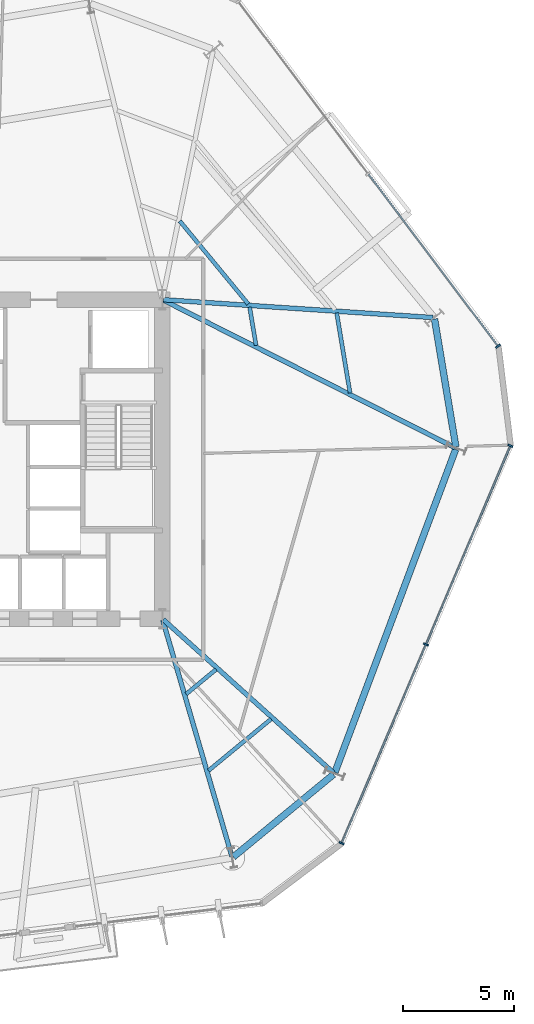
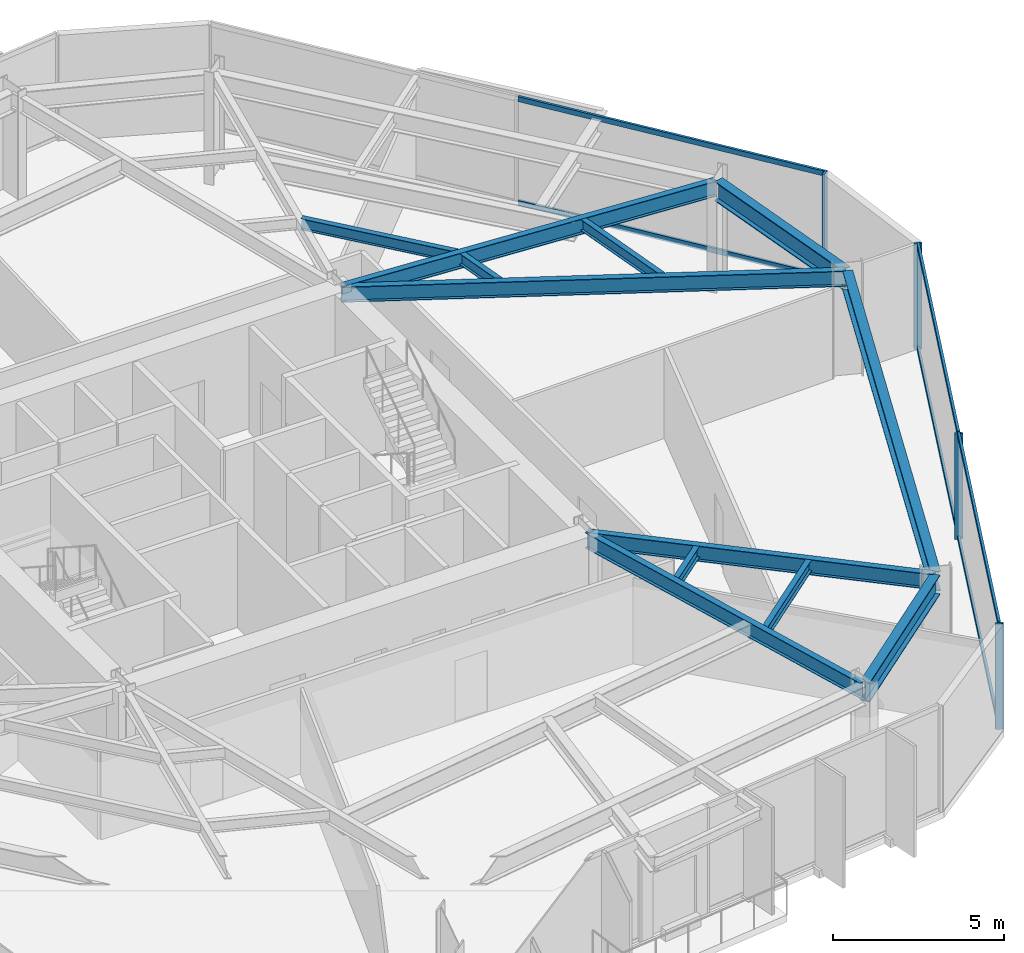
# One storey, part 4 of 11: 12 beams, 10 members, 2 elements without a shape of their own.
"""IFC4 building model written with IfcOpenShell, lengths in metres."""

from ifc_helpers import new_model, si_unit, direction, frame, origin, origin_2d, place, context, subcontext, project, spatial, rectangle, i_section, extrude, material, layer, layer_set, material_profile, profile_set, type_object, element, aggregate, save


model = new_model("IFC4")

# Units and contexts
model_context = context("Model", 3, precision=1e-05, world=origin(), true_north=direction((0.0, 1.0)))
body_context = subcontext(model_context, "Body", "Model", "MODEL_VIEW")
ifc_project = project(units=[si_unit("LENGTHUNIT", "METRE"), si_unit("AREAUNIT", "SQUARE_METRE"), si_unit("VOLUMEUNIT", "CUBIC_METRE"), si_unit("PLANEANGLEUNIT", "RADIAN"), si_unit("MASSUNIT", "GRAM", prefix="KILO")], contexts=[model_context])

# Site, building, storey
site_placement = place(None, origin())
site = spatial("IfcSite", under=ifc_project, at=site_placement, CompositionType="ELEMENT")
building_placement = place(site_placement, origin())
building = spatial("IfcBuilding", under=site, at=building_placement, Name="Kranzbogen Civic Tower", CompositionType="ELEMENT")
storey_placement = place(building_placement, frame((0.0, 0.0, 48.0)))
storey = spatial("IfcBuildingStorey", under=building, at=storey_placement, Name="L11", CompositionType="ELEMENT", Elevation=48.0)

# Curtain wall, member
ifc_material_1 = material(Name="Pale Anodised Aluminium", Category="aluminium")
ifc_layer = layer(ifc_material_1, 0.219970703125, Name="Pale Anodised Aluminium")
ifc_layer_set = layer_set([ifc_layer], Name="Pale Anodised Aluminium")
curtain_wall_type = type_object("IfcCurtainWallType", Name="Zone 1 Stick Curtain Wall System CW-02", PredefinedType="USERDEFINED", material=ifc_layer_set)
curtain_wall_1_placement = place(storey_placement, origin())
curtain_wall_1 = element("IfcCurtainWall", 1, at=curtain_wall_1_placement, inside=storey, type_object=curtain_wall_type, Name="L11 curtain wall CW-L11-F1", ObjectType="STICK CURTAIN WALL", PredefinedType="USERDEFINED")
ifc_material_profile_1 = material_profile(ifc_material_1, rectangle(XDim=0.080078125, YDim=0.239990234375, at=origin_2d()), Name="ALU-M 80x240")
ifc_profile_set_1 = profile_set([ifc_material_profile_1], Name="Pale Anodised Aluminium")
member_type_1 = type_object("IfcMemberType", Name="Curtain Wall Mullion ALU-M 80x240", PredefinedType="MULLION", material=ifc_profile_set_1)
member_1_placement = place(storey_placement, frame((47.950927734375, 30.097900390625, 0.0), z_axis=(0.0, 0.0, 1.0), x_axis=(-0.601824225047, 0.798628575839, 0.0)))
member_1 = element("IfcMember", 2, at=member_1_placement, type_object=member_type_1, Name="CW-02 mullion 1", PredefinedType="MULLION", context=body_context, shape_type="SweptSolid", body=[
    extrude(rectangle(XDim=0.080078125, YDim=0.239990234375, at=origin_2d()), origin(), (0.0, 0.0, 1.0), 3.760009765625),
])

# Curtain wall, members
curtain_wall_2_placement = place(storey_placement, origin())
curtain_wall_2 = element("IfcCurtainWall", 3, at=curtain_wall_2_placement, inside=storey, type_object=curtain_wall_type, Name="L11 curtain wall CW-L11-F6", ObjectType="STICK CURTAIN WALL", PredefinedType="USERDEFINED")
member_2_placement = place(storey_placement, frame((40.8896484375, 7.672607421875, 0.0), z_axis=(0.0, 0.0, 1.0), x_axis=(0.390779797784, 0.920484193044, 0.0)))
member_2 = element("IfcMember", 4, at=member_2_placement, type_object=member_type_1, Name="CW-02 mullion 1", PredefinedType="MULLION", context=body_context, shape_type="SweptSolid", body=[
    extrude(rectangle(XDim=0.080078125, YDim=0.239990234375, at=origin_2d()), origin(), (0.0, 0.0, 1.0), 3.760009765625),
])
member_3_placement = place(storey_placement, frame((44.696533203125, 16.639404296875, 0.0), z_axis=(0.0, 0.0, 1.0), x_axis=(0.390779797784, 0.920484193044, 0.0)))
member_3 = element("IfcMember", 5, at=member_3_placement, type_object=member_type_1, Name="CW-02 mullion 2", PredefinedType="MULLION", context=body_context, shape_type="SweptSolid", body=[
    extrude(rectangle(XDim=0.080078125, YDim=0.239990234375, at=origin_2d()), origin(), (0.0, 0.0, 1.0), 3.760009765625),
])
member_4_placement = place(storey_placement, frame((48.503173828125, 25.6064453125, 0.0), z_axis=(0.0, 0.0, 1.0), x_axis=(0.390779797784, 0.920484193044, 0.0)))
member_4 = element("IfcMember", 6, at=member_4_placement, type_object=member_type_1, Name="CW-02 mullion 3", PredefinedType="MULLION", context=body_context, shape_type="SweptSolid", body=[
    extrude(rectangle(XDim=0.080078125, YDim=0.239990234375, at=origin_2d()), origin(), (0.0, 0.0, 1.0), 3.760009765625),
])

# Member
ifc_material_profile_2 = material_profile(ifc_material_1, rectangle(XDim=0.080078125, YDim=0.179931640625, at=origin_2d()), Name="ALU-T 80x180")
ifc_profile_set_2 = profile_set([ifc_material_profile_2], Name="Pale Anodised Aluminium")
member_type_2 = type_object("IfcMemberType", Name="Curtain Wall Transom ALU-T 80x180", PredefinedType="USERDEFINED", material=ifc_profile_set_2)
member_5_placement = place(storey_placement, frame((47.932861328125, 30.121826171875, 0.030029296875), z_axis=(-0.601826230551, 0.798627064543, 0.0), x_axis=(-0.798627064543, -0.601826230551, 0.0)))
member_5 = element("IfcMember", 7, at=member_5_placement, type_object=member_type_2, Name="CW-02 transom 1.1", ObjectType="TRANSOM", PredefinedType="USERDEFINED", context=body_context, shape_type="SweptSolid", body=[
    extrude(rectangle(XDim=0.080078125, YDim=0.179931640625, at=origin_2d()), origin(), (0.0, 0.0, 1.0), 9.68115234375),
])

member_6_placement = place(storey_placement, frame((47.932861328125, 30.121826171875, 3.72998046875), z_axis=(-0.601826230551, 0.798627064543, 0.0), x_axis=(-0.798627064543, -0.601826230551, 0.0)))
member_6 = element("IfcMember", 8, at=member_6_placement, type_object=member_type_2, Name="CW-02 transom 1.2", ObjectType="TRANSOM", PredefinedType="USERDEFINED", context=body_context, shape_type="SweptSolid", body=[
    extrude(rectangle(XDim=0.080078125, YDim=0.179931640625, at=origin_2d()), origin(), (0.0, 0.0, 1.0), 9.68115234375),
])

aggregate(curtain_wall_1, [member_1, member_5, member_6])

member_7_placement = place(storey_placement, frame((40.9013671875, 7.7001953125, 0.030029296875), z_axis=(0.390791388948, 0.920479272077, 0.0), x_axis=(-0.920479272077, 0.390791388948, 0.0)))
member_7 = element("IfcMember", 9, at=member_7_placement, type_object=member_type_2, Name="CW-02 transom 1.1", ObjectType="TRANSOM", PredefinedType="USERDEFINED", context=body_context, shape_type="SweptSolid", body=[
    extrude(rectangle(XDim=0.080078125, YDim=0.179931640625, at=origin_2d()), origin(), (0.0, 0.0, 1.0), 9.681396484375),
])

member_8_placement = place(storey_placement, frame((40.9013671875, 7.7001953125, 3.72998046875), z_axis=(0.390791388948, 0.920479272077, 0.0), x_axis=(-0.920479272077, 0.390791388948, 0.0)))
member_8 = element("IfcMember", 10, at=member_8_placement, type_object=member_type_2, Name="CW-02 transom 1.2", ObjectType="TRANSOM", PredefinedType="USERDEFINED", context=body_context, shape_type="SweptSolid", body=[
    extrude(rectangle(XDim=0.080078125, YDim=0.179931640625, at=origin_2d()), origin(), (0.0, 0.0, 1.0), 9.681396484375),
])

member_9_placement = place(storey_placement, frame((44.708251953125, 16.667236328125, 0.030029296875), z_axis=(0.390770022526, 0.920488342943, 0.0), x_axis=(-0.920488342943, 0.390770022526, 0.0)))
member_9 = element("IfcMember", 11, at=member_9_placement, type_object=member_type_2, Name="CW-02 transom 2.1", ObjectType="TRANSOM", PredefinedType="USERDEFINED", context=body_context, shape_type="SweptSolid", body=[
    extrude(rectangle(XDim=0.080078125, YDim=0.179931640625, at=origin_2d()), origin(), (0.0, 0.0, 1.0), 9.681396484375),
])

member_10_placement = place(storey_placement, frame((44.708251953125, 16.667236328125, 3.72998046875), z_axis=(0.390770022526, 0.920488342943, 0.0), x_axis=(-0.920488342943, 0.390770022526, 0.0)))
member_10 = element("IfcMember", 12, at=member_10_placement, type_object=member_type_2, Name="CW-02 transom 2.2", ObjectType="TRANSOM", PredefinedType="USERDEFINED", context=body_context, shape_type="SweptSolid", body=[
    extrude(rectangle(XDim=0.080078125, YDim=0.179931640625, at=origin_2d()), origin(), (0.0, 0.0, 1.0), 9.681396484375),
])

aggregate(curtain_wall_2, [member_2, member_3, member_4, member_7, member_8, member_9, member_10])

# Beams
ifc_material_2 = material(Name="Steel S355", Category="steel")
ifc_material_profile_3 = material_profile(ifc_material_2, i_section(OverallWidth=0.300048828125, OverallDepth=0.699951171875, WebThickness=0.01708984375, FlangeThickness=0.031982421875, at=origin_2d()), Name="HEB 700")
ifc_profile_set_3 = profile_set([ifc_material_profile_3], Name="Steel S355")
beam_type_1 = type_object("IfcBeamType", Name="Perimeter Tube Spandrel Beam HEB 700", PredefinedType="SPANDREL", material=ifc_profile_set_3)
beam_1_placement = place(storey_placement, frame((36.00390625, 7.050048828125, 3.409912109375), z_axis=(0.77168336865, 0.636006901337, 0.0), x_axis=(-0.636006901337, 0.77168336865, 0.0)))
element("IfcBeam", 13, at=beam_1_placement, inside=storey, type_object=beam_type_1, Name="L11 perimeter spandrel beam 05", PredefinedType="SPANDREL", context=body_context, shape_type="SweptSolid", body=[
    extrude(i_section(OverallWidth=0.300048828125, OverallDepth=0.699951171875, WebThickness=0.01708984375, FlangeThickness=0.031982421875, at=origin_2d()), origin(), (0.0, 0.0, 1.0), 5.853515625),
])
beam_2_placement = place(storey_placement, frame((40.587890625, 10.866943359375, 3.409912109375), z_axis=(0.350172267932, 0.936685316833, 0.0), x_axis=(-0.936685316833, 0.350172267932, 0.0)))
element("IfcBeam", 14, at=beam_2_placement, inside=storey, type_object=beam_type_1, Name="L11 perimeter spandrel beam 06", PredefinedType="SPANDREL", context=body_context, shape_type="SweptSolid", body=[
    extrude(i_section(OverallWidth=0.300048828125, OverallDepth=0.699951171875, WebThickness=0.01708984375, FlangeThickness=0.031982421875, at=origin_2d()), origin(), (0.0, 0.0, 1.0), 15.55810546875),
])
beam_3_placement = place(storey_placement, frame((46.047119140625, 25.554931640625, 3.409912109375), z_axis=(-0.164913116942, 0.986308097838, 0.0), x_axis=(-0.986308097838, -0.164913116942, 0.0)))
element("IfcBeam", 15, at=beam_3_placement, inside=storey, type_object=beam_type_1, Name="L11 perimeter spandrel beam 07", PredefinedType="SPANDREL", context=body_context, shape_type="SweptSolid", body=[
    extrude(i_section(OverallWidth=0.300048828125, OverallDepth=0.699951171875, WebThickness=0.01708984375, FlangeThickness=0.031982421875, at=origin_2d()), origin(), (0.0, 0.0, 1.0), 5.85205078125),
])
ifc_material_profile_4 = material_profile(ifc_material_2, i_section(OverallWidth=0.2099609375, OverallDepth=0.550048828125, WebThickness=0.010986328125, FlangeThickness=0.01708984375, at=origin_2d()), Name="IPE 550")
ifc_profile_set_4 = profile_set([ifc_material_profile_4], Name="Steel S355")
beam_type_2 = type_object("IfcBeamType", Name="Radial Tower Floor Girder IPE 550", PredefinedType="BEAM", material=ifc_profile_set_4)
beam_4_placement = place(storey_placement, frame((35.94091796875, 7.070068359375, 3.485107421875), z_axis=(-0.280944131918, 0.959724124288, 0.0), x_axis=(-0.959724124288, -0.280944131918, 0.0)))
element("IfcBeam", 16, at=beam_4_placement, inside=storey, type_object=beam_type_2, Name="L11 radial floor girder 05", PredefinedType="BEAM", context=body_context, shape_type="SweptSolid", body=[
    extrude(i_section(OverallWidth=0.2099609375, OverallDepth=0.550048828125, WebThickness=0.010986328125, FlangeThickness=0.01708984375, at=origin_2d()), origin(), (0.0, 0.0, 1.0), 11.11962890625),
])
beam_5_placement = place(storey_placement, frame((40.52197265625, 10.85107421875, 3.485107421875), z_axis=(-0.743311776894, 0.668945141496, 0.0), x_axis=(-0.668945141496, -0.743311776894, 0.0)))
element("IfcBeam", 17, at=beam_5_placement, inside=storey, type_object=beam_type_2, Name="L11 radial floor girder 06", PredefinedType="BEAM", context=body_context, shape_type="SweptSolid", body=[
    extrude(i_section(OverallWidth=0.2099609375, OverallDepth=0.550048828125, WebThickness=0.010986328125, FlangeThickness=0.01708984375, at=origin_2d()), origin(), (0.0, 0.0, 1.0), 10.328125),
])
beam_6_placement = place(storey_placement, frame((46.0029296875, 25.52294921875, 3.485107421875), z_axis=(-0.892363219254, 0.451317942168, 0.0), x_axis=(-0.451317942168, -0.892363219254, 0.0)))
element("IfcBeam", 18, at=beam_6_placement, inside=storey, type_object=beam_type_2, Name="L11 radial floor girder 07", PredefinedType="BEAM", context=body_context, shape_type="SweptSolid", body=[
    extrude(i_section(OverallWidth=0.2099609375, OverallDepth=0.550048828125, WebThickness=0.010986328125, FlangeThickness=0.01708984375, at=origin_2d()), origin(), (0.0, 0.0, 1.0), 14.73486328125),
])
beam_7_placement = place(storey_placement, frame((45.011962890625, 31.389892578125, 3.485107421875), z_axis=(-0.99780674843, 0.066194356156, 0.0), x_axis=(-0.066194356156, -0.99780674843, 0.0)))
element("IfcBeam", 19, at=beam_7_placement, inside=storey, type_object=beam_type_2, Name="L11 radial floor girder 08", PredefinedType="BEAM", context=body_context, shape_type="SweptSolid", body=[
    extrude(i_section(OverallWidth=0.2099609375, OverallDepth=0.550048828125, WebThickness=0.010986328125, FlangeThickness=0.01708984375, at=origin_2d()), origin(), (0.0, 0.0, 1.0), 12.178466796875),
])
ifc_material_profile_5 = material_profile(ifc_material_2, i_section(OverallWidth=0.179931640625, OverallDepth=0.39990234375, WebThickness=0.008544921875, FlangeThickness=0.013427734375, at=origin_2d()), Name="IPE 400")
ifc_profile_set_5 = profile_set([ifc_material_profile_5], Name="Steel S355")
beam_type_3 = type_object("IfcBeamType", Name="Secondary Composite Floor Joist IPE 400", PredefinedType="JOIST", material=ifc_profile_set_5)
beam_8_placement = place(storey_placement, frame((34.883056640625, 10.947021484375, 3.56005859375), z_axis=(0.771712720426, 0.635971286406, 0.0), x_axis=(-0.635971286406, 0.771712720426, 0.0)))
element("IfcBeam", 20, at=beam_8_placement, inside=storey, type_object=beam_type_3, Name="L11 secondary floor joist 1.05", PredefinedType="JOIST", context=body_context, shape_type="SweptSolid", body=[
    extrude(i_section(OverallWidth=0.179931640625, OverallDepth=0.39990234375, WebThickness=0.008544921875, FlangeThickness=0.013427734375, at=origin_2d()), origin(), (0.0, 0.0, 1.0), 3.661865234375),
])
beam_9_placement = place(storey_placement, frame((33.8720703125, 14.39892578125, 3.56005859375), z_axis=(0.771773324836, 0.635897739477, 0.0), x_axis=(-0.635897739477, 0.771773324836, 0.0)))
element("IfcBeam", 21, at=beam_9_placement, inside=storey, type_object=beam_type_3, Name="L11 secondary floor joist 2.05", PredefinedType="JOIST", context=body_context, shape_type="SweptSolid", body=[
    extrude(i_section(OverallWidth=0.179931640625, OverallDepth=0.39990234375, WebThickness=0.008544921875, FlangeThickness=0.013427734375, at=origin_2d()), origin(), (0.0, 0.0, 1.0), 1.751953125),
])
beam_10_placement = place(storey_placement, frame((41.27099609375, 27.988037109375, 3.56005859375), z_axis=(-0.164928678379, 0.986305495802, 0.0), x_axis=(-0.986305495802, -0.164928678379, 0.0)))
element("IfcBeam", 22, at=beam_10_placement, inside=storey, type_object=beam_type_3, Name="L11 secondary floor joist 1.07", PredefinedType="JOIST", context=body_context, shape_type="SweptSolid", body=[
    extrude(i_section(OverallWidth=0.179931640625, OverallDepth=0.39990234375, WebThickness=0.008544921875, FlangeThickness=0.013427734375, at=origin_2d()), origin(), (0.0, 0.0, 1.0), 3.662109375),
])
beam_11_placement = place(storey_placement, frame((37.029052734375, 30.134033203125, 3.56005859375), z_axis=(-0.165077224104, 0.986280644686, 0.0), x_axis=(-0.986280644686, -0.165077224104, 0.0)))
element("IfcBeam", 23, at=beam_11_placement, inside=storey, type_object=beam_type_3, Name="L11 secondary floor joist 2.07", PredefinedType="JOIST", context=body_context, shape_type="SweptSolid", body=[
    extrude(i_section(OverallWidth=0.179931640625, OverallDepth=0.39990234375, WebThickness=0.008544921875, FlangeThickness=0.013427734375, at=origin_2d()), origin(), (0.0, 0.0, 1.0), 1.7509765625),
])
beam_12_placement = place(storey_placement, frame((36.676025390625, 32.0009765625, 3.56005859375), z_axis=(-0.636012010413, 0.771679157818, 0.0), x_axis=(-0.771679157818, -0.636012010413, 0.0)))
element("IfcBeam", 24, at=beam_12_placement, inside=storey, type_object=beam_type_3, Name="L11 secondary floor joist 2.08", PredefinedType="JOIST", context=body_context, shape_type="SweptSolid", body=[
    extrude(i_section(OverallWidth=0.179931640625, OverallDepth=0.39990234375, WebThickness=0.008544921875, FlangeThickness=0.013427734375, at=origin_2d()), origin(), (0.0, 0.0, 1.0), 4.85693359375),
])

save(model, "model.ifc")
